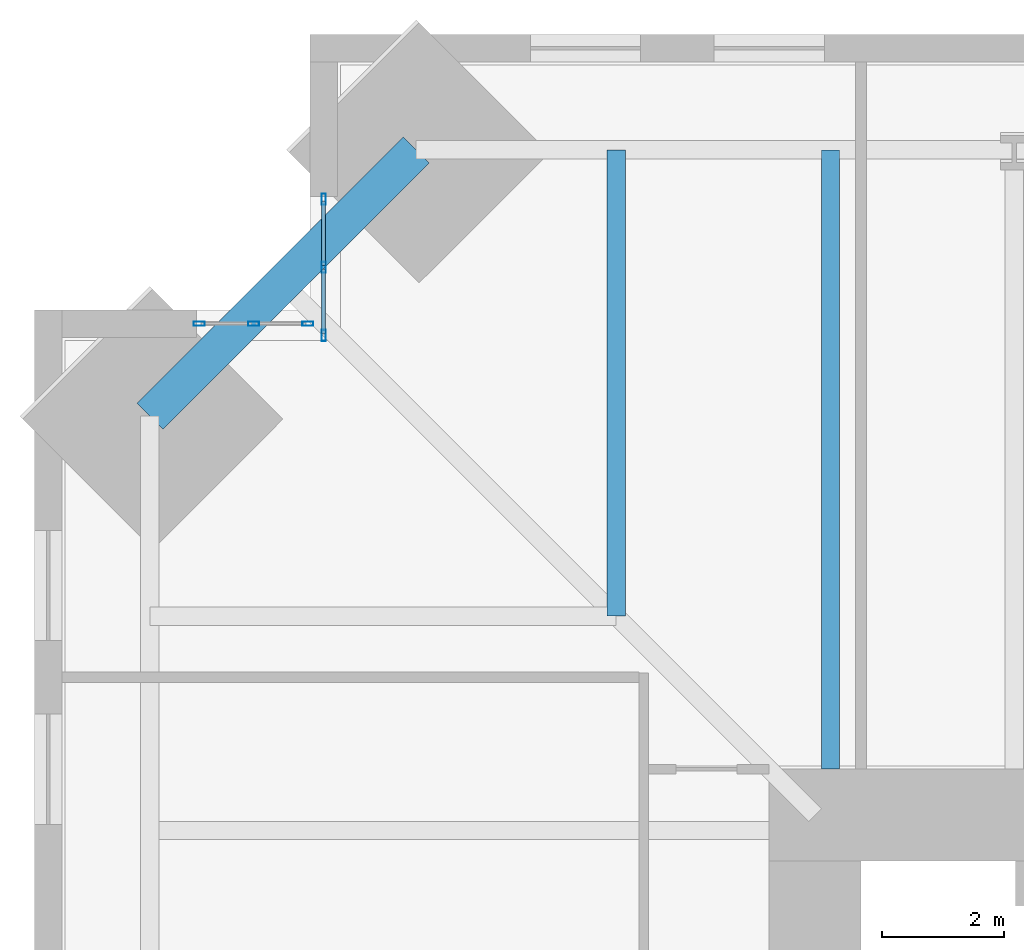
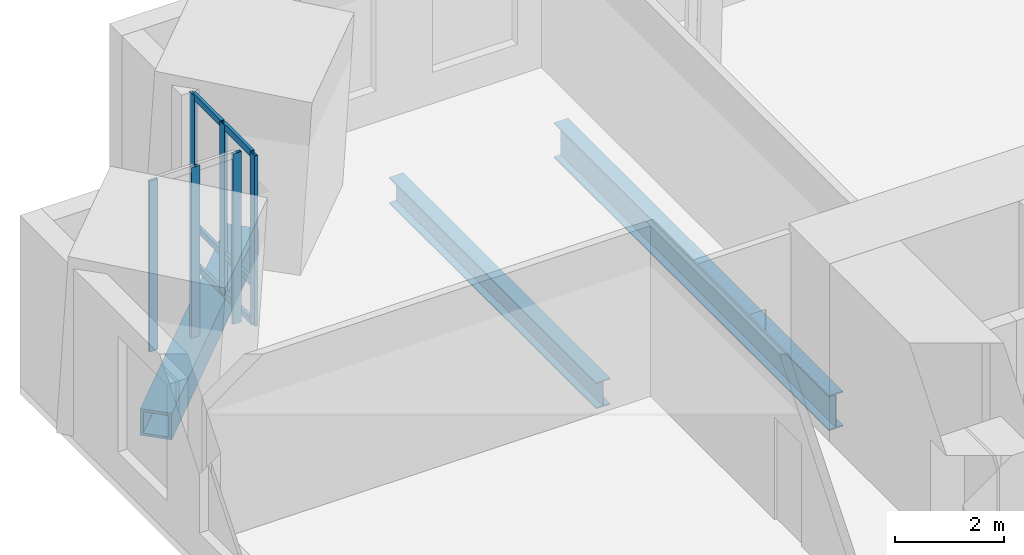
# One storey, part 6 of 15: 12 members, 3 beams, 2 elements without a shape of their own.
"""IFC4 building model written with IfcOpenShell, lengths in metres."""

from ifc_helpers import new_model, si_unit, direction, frame, origin, origin_2d, place, context, subcontext, project, spatial, hollow_rectangle, i_section, extrude, material, material_profile, profile_set, type_object, element, aggregate, save


model = new_model("IFC4")

# Units and contexts
model_context = context("Model", 3, precision=1e-05, world=origin(), true_north=direction((0.0, 1.0)))
body_context = subcontext(model_context, "Body", "Model", "MODEL_VIEW")
ifc_project = project(units=[si_unit("LENGTHUNIT", "METRE"), si_unit("AREAUNIT", "SQUARE_METRE"), si_unit("VOLUMEUNIT", "CUBIC_METRE"), si_unit("PLANEANGLEUNIT", "RADIAN"), si_unit("MASSUNIT", "GRAM", prefix="KILO")], contexts=[model_context])

# Site, building, storey
site_placement = place(None, origin())
site = spatial("IfcSite", under=ifc_project, at=site_placement, CompositionType="ELEMENT")
building_placement = place(site_placement, origin())
building = spatial("IfcBuilding", under=site, at=building_placement, Name="Peilmerk Tower", CompositionType="ELEMENT")
storey_placement = place(building_placement, frame((0.0, 0.0, 217.800048828125)))
storey = spatial("IfcBuildingStorey", under=building, at=storey_placement, Name="L47", CompositionType="ELEMENT", Elevation=217.800048828125)

# Beams
ifc_material_1 = material(Name="Steel S460", Category="steel")
ifc_material_profile_1 = material_profile(ifc_material_1, hollow_rectangle(XDim=0.60009765625, YDim=0.60009765625, WallThickness=0.06005859375, at=origin_2d()), Name="BOX 600x600x60")
ifc_profile_set_1 = profile_set([ifc_material_profile_1], Name="Steel S460")
beam_type_1 = type_object("IfcBeamType", Name="B20 BOX 600x600x60 notch beam", PredefinedType="SPANDREL", material=ifc_profile_set_1)
beam_1_placement = place(storey_placement, frame((-22.114501953125, 17.764404296875, -0.469970703125), z_axis=(0.707106781187, 0.707106781187, 0.0), x_axis=(-0.707106781187, 0.707106781187, 0.0)))
element("IfcBeam", 1, at=beam_1_placement, inside=storey, type_object=beam_type_1, Name="Notch beam L47", PredefinedType="SPANDREL", context=body_context, shape_type="SweptSolid", body=[
    extrude(hollow_rectangle(XDim=0.60009765625, YDim=0.60009765625, WallThickness=0.06005859375, at=origin_2d()), origin(), (0.0, 0.0, 1.0), 6.15185546875),
])
ifc_material_2 = material(Name="Steel S355", Category="steel")
ifc_material_profile_2 = material_profile(ifc_material_2, i_section(OverallWidth=0.300048828125, OverallDepth=0.590087890625, WebThickness=0.012939453125, FlangeThickness=0.02490234375, at=origin_2d()), Name="HEA 600")
ifc_profile_set_2 = profile_set([ifc_material_profile_2], Name="Steel S355")
beam_type_2 = type_object("IfcBeamType", Name="B27 HEA 600 floor beam", PredefinedType="BEAM", material=ifc_profile_set_2)
beam_2_placement = place(storey_placement, frame((-14.5, 14.5, -0.465087890625), z_axis=(0.0, 1.0, 0.0), x_axis=(-1.0, 0.0, 0.0)))
element("IfcBeam", 2, at=beam_2_placement, inside=storey, type_object=beam_type_2, Name="Floor beam L47", PredefinedType="BEAM", context=body_context, shape_type="SweptSolid", body=[
    extrude(i_section(OverallWidth=0.300048828125, OverallDepth=0.590087890625, WebThickness=0.012939453125, FlangeThickness=0.02490234375, at=origin_2d()), origin(), (0.0, 0.0, 1.0), 7.614501953125),
])
ifc_material_profile_3 = material_profile(ifc_material_2, i_section(OverallWidth=0.300048828125, OverallDepth=0.7900390625, WebThickness=0.014892578125, FlangeThickness=0.028076171875, at=origin_2d()), Name="HEA 800")
ifc_profile_set_3 = profile_set([ifc_material_profile_3], Name="Steel S355")
beam_type_3 = type_object("IfcBeamType", Name="B3 HEA 800 floor beam", PredefinedType="BEAM", material=ifc_profile_set_3)
beam_3_placement = place(storey_placement, frame((-11.0, 12.0, -0.56494140625), z_axis=(0.0, 1.0, 0.0), x_axis=(-1.0, 0.0, 0.0)))
element("IfcBeam", 3, at=beam_3_placement, inside=storey, type_object=beam_type_3, Name="Floor beam L47", PredefinedType="BEAM", context=body_context, shape_type="SweptSolid", body=[
    extrude(i_section(OverallWidth=0.300048828125, OverallDepth=0.7900390625, WebThickness=0.014892578125, FlangeThickness=0.028076171875, at=origin_2d()), origin(), (0.0, 0.0, 1.0), 10.114501953125),
])

# Curtain wall, members
ifc_material_3 = material(Name="Aluminium stick curtain wall", Category="aluminium")
curtain_wall_type = type_object("IfcCurtainWallType", Name="CW4 stick curtain wall, 2250 module", PredefinedType="NOTDEFINED", material=ifc_material_3)
curtain_wall_1_placement = place(storey_placement, origin())
curtain_wall_1 = element("IfcCurtainWall", 4, at=curtain_wall_1_placement, inside=storey, type_object=curtain_wall_type, Name="Curtain wall CW4 NWA L47", PredefinedType="NOTDEFINED")
ifc_material_4 = material(Name="Aluminium EN AW-6063 T6", Category="aluminium")
ifc_material_profile_4 = material_profile(ifc_material_4, hollow_rectangle(XDim=0.06494140625, YDim=0.179931640625, WallThickness=0.0029296875, at=origin_2d()), Name="AL 180x65x3")
ifc_profile_set_4 = profile_set([ifc_material_profile_4], Name="Aluminium EN AW-6063 T6")
member_type_1 = type_object("IfcMemberType", Name="CW4-M AL 180x65x3 mullion", PredefinedType="MULLION", material=ifc_profile_set_4)
member_1_placement = place(storey_placement, frame((-19.27490234375, 19.08251953125, 0.0), z_axis=(0.0, 0.0, 1.0), x_axis=(-1.0, 0.0, 0.0)))
member_1 = element("IfcMember", 5, at=member_1_placement, type_object=member_type_1, Name="CW4 mullion 1", PredefinedType="MULLION", context=body_context, shape_type="SweptSolid", body=[
    extrude(hollow_rectangle(XDim=0.06494140625, YDim=0.179931640625, WallThickness=0.0029296875, at=origin_2d()), origin(), (0.0, 0.0, 1.0), 3.829833984375),
])
member_2_placement = place(storey_placement, frame((-19.27490234375, 20.1943359375, 0.0), z_axis=(0.0, 0.0, 1.0), x_axis=(-1.0, 0.0, 0.0)))
member_2 = element("IfcMember", 6, at=member_2_placement, type_object=member_type_1, Name="CW4 mullion 2", PredefinedType="MULLION", context=body_context, shape_type="SweptSolid", body=[
    extrude(hollow_rectangle(XDim=0.06494140625, YDim=0.179931640625, WallThickness=0.0029296875, at=origin_2d()), origin(), (0.0, 0.0, 1.0), 3.829833984375),
])
member_3_placement = place(storey_placement, frame((-19.27490234375, 21.30615234375, 0.0), z_axis=(0.0, 0.0, 1.0), x_axis=(-1.0, 0.0, 0.0)))
member_3 = element("IfcMember", 7, at=member_3_placement, type_object=member_type_1, Name="CW4 mullion 3", PredefinedType="MULLION", context=body_context, shape_type="SweptSolid", body=[
    extrude(hollow_rectangle(XDim=0.06494140625, YDim=0.179931640625, WallThickness=0.0029296875, at=origin_2d()), origin(), (0.0, 0.0, 1.0), 3.829833984375),
])

curtain_wall_2_placement = place(storey_placement, origin())
curtain_wall_2 = element("IfcCurtainWall", 8, at=curtain_wall_2_placement, inside=storey, type_object=curtain_wall_type, Name="Curtain wall CW4 NWB L47", PredefinedType="NOTDEFINED")
member_4_placement = place(storey_placement, frame((-19.532470703125, 19.27490234375, 0.0), z_axis=(0.0, 0.0, 1.0), x_axis=(0.0, -1.0, 0.0)))
member_4 = element("IfcMember", 9, at=member_4_placement, type_object=member_type_1, Name="CW4 mullion 1", PredefinedType="MULLION", context=body_context, shape_type="SweptSolid", body=[
    extrude(hollow_rectangle(XDim=0.06494140625, YDim=0.179931640625, WallThickness=0.0029296875, at=origin_2d()), origin(), (0.0, 0.0, 1.0), 3.829833984375),
])
member_5_placement = place(storey_placement, frame((-20.41943359375, 19.27490234375, 0.0), z_axis=(0.0, 0.0, 1.0), x_axis=(0.0, -1.0, 0.0)))
member_5 = element("IfcMember", 10, at=member_5_placement, type_object=member_type_1, Name="CW4 mullion 2", PredefinedType="MULLION", context=body_context, shape_type="SweptSolid", body=[
    extrude(hollow_rectangle(XDim=0.06494140625, YDim=0.179931640625, WallThickness=0.0029296875, at=origin_2d()), origin(), (0.0, 0.0, 1.0), 3.829833984375),
])
member_6_placement = place(storey_placement, frame((-21.30615234375, 19.27490234375, 0.0), z_axis=(0.0, 0.0, 1.0), x_axis=(0.0, -1.0, 0.0)))
member_6 = element("IfcMember", 11, at=member_6_placement, type_object=member_type_1, Name="CW4 mullion 3", PredefinedType="MULLION", context=body_context, shape_type="SweptSolid", body=[
    extrude(hollow_rectangle(XDim=0.06494140625, YDim=0.179931640625, WallThickness=0.0029296875, at=origin_2d()), origin(), (0.0, 0.0, 1.0), 3.829833984375),
])
aggregate(curtain_wall_2, [member_4, member_5, member_6])

# Member
ifc_material_profile_5 = material_profile(ifc_material_4, hollow_rectangle(XDim=0.06494140625, YDim=0.14990234375, WallThickness=0.0029296875, at=origin_2d()), Name="AL 150x65x3")
ifc_profile_set_5 = profile_set([ifc_material_profile_5], Name="Aluminium EN AW-6063 T6")
member_type_2 = type_object("IfcMemberType", Name="CW4-T AL 150x65x3 transom", PredefinedType="USERDEFINED", material=ifc_profile_set_5)
member_7_placement = place(storey_placement, frame((-19.27490234375, 19.114990234375, 0.032470703125), z_axis=(0.0, 1.0, 0.0), x_axis=(-1.0, 0.0, 0.0)))
member_7 = element("IfcMember", 12, at=member_7_placement, type_object=member_type_2, Name="CW4 transom 1.1", ObjectType="TRANSOM", PredefinedType="USERDEFINED", context=body_context, shape_type="SweptSolid", body=[
    extrude(hollow_rectangle(XDim=0.06494140625, YDim=0.14990234375, WallThickness=0.0029296875, at=origin_2d()), origin(), (0.0, 0.0, 1.0), 1.046875),
])

member_8_placement = place(storey_placement, frame((-19.27490234375, 19.114990234375, 0.89990234375), z_axis=(0.0, 1.0, 0.0), x_axis=(-1.0, 0.0, 0.0)))
member_8 = element("IfcMember", 13, at=member_8_placement, type_object=member_type_2, Name="CW4 transom 1.2", ObjectType="TRANSOM", PredefinedType="USERDEFINED", context=body_context, shape_type="SweptSolid", body=[
    extrude(hollow_rectangle(XDim=0.06494140625, YDim=0.14990234375, WallThickness=0.0029296875, at=origin_2d()), origin(), (0.0, 0.0, 1.0), 1.046875),
])

member_9_placement = place(storey_placement, frame((-19.27490234375, 19.114990234375, 3.79736328125), z_axis=(0.0, 1.0, 0.0), x_axis=(-1.0, 0.0, 0.0)))
member_9 = element("IfcMember", 14, at=member_9_placement, type_object=member_type_2, Name="CW4 transom 1.3", ObjectType="TRANSOM", PredefinedType="USERDEFINED", context=body_context, shape_type="SweptSolid", body=[
    extrude(hollow_rectangle(XDim=0.06494140625, YDim=0.14990234375, WallThickness=0.0029296875, at=origin_2d()), origin(), (0.0, 0.0, 1.0), 1.046875),
])

member_10_placement = place(storey_placement, frame((-19.27490234375, 20.226806640625, 0.032470703125), z_axis=(0.0, 1.0, 0.0), x_axis=(-1.0, 0.0, 0.0)))
member_10 = element("IfcMember", 15, at=member_10_placement, type_object=member_type_2, Name="CW4 transom 2.1", ObjectType="TRANSOM", PredefinedType="USERDEFINED", context=body_context, shape_type="SweptSolid", body=[
    extrude(hollow_rectangle(XDim=0.06494140625, YDim=0.14990234375, WallThickness=0.0029296875, at=origin_2d()), origin(), (0.0, 0.0, 1.0), 1.046875),
])

member_11_placement = place(storey_placement, frame((-19.27490234375, 20.226806640625, 0.89990234375), z_axis=(0.0, 1.0, 0.0), x_axis=(-1.0, 0.0, 0.0)))
member_11 = element("IfcMember", 16, at=member_11_placement, type_object=member_type_2, Name="CW4 transom 2.2", ObjectType="TRANSOM", PredefinedType="USERDEFINED", context=body_context, shape_type="SweptSolid", body=[
    extrude(hollow_rectangle(XDim=0.06494140625, YDim=0.14990234375, WallThickness=0.0029296875, at=origin_2d()), origin(), (0.0, 0.0, 1.0), 1.046875),
])

member_12_placement = place(storey_placement, frame((-19.27490234375, 20.226806640625, 3.79736328125), z_axis=(0.0, 1.0, 0.0), x_axis=(-1.0, 0.0, 0.0)))
member_12 = element("IfcMember", 17, at=member_12_placement, type_object=member_type_2, Name="CW4 transom 2.3", ObjectType="TRANSOM", PredefinedType="USERDEFINED", context=body_context, shape_type="SweptSolid", body=[
    extrude(hollow_rectangle(XDim=0.06494140625, YDim=0.14990234375, WallThickness=0.0029296875, at=origin_2d()), origin(), (0.0, 0.0, 1.0), 1.046875),
])

aggregate(curtain_wall_1, [member_1, member_2, member_3, member_7, member_8, member_9, member_10, member_11, member_12])

save(model, "model.ifc")
